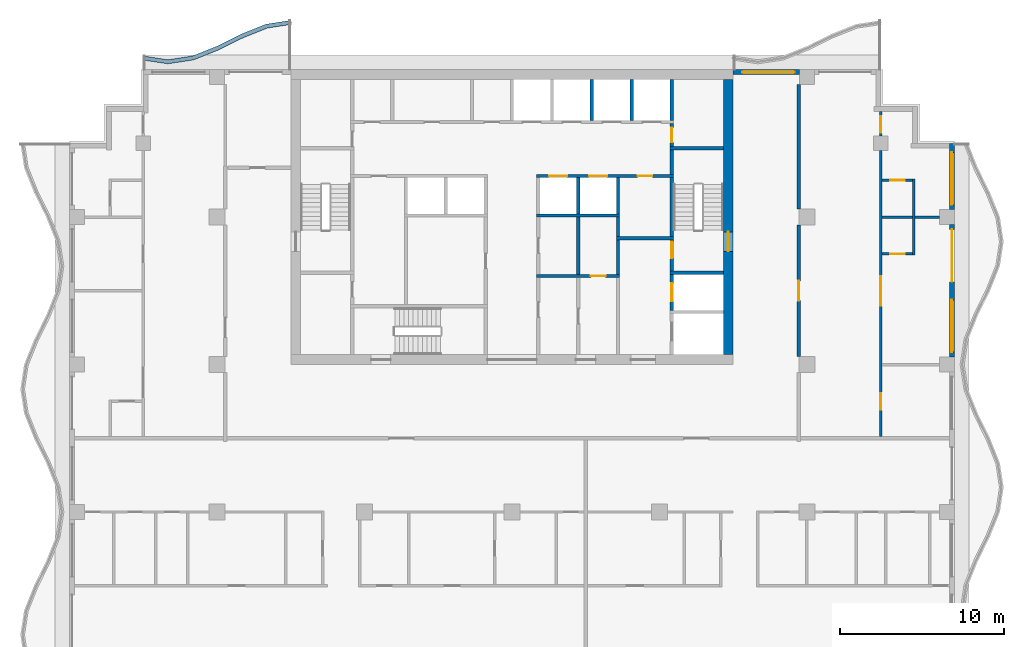
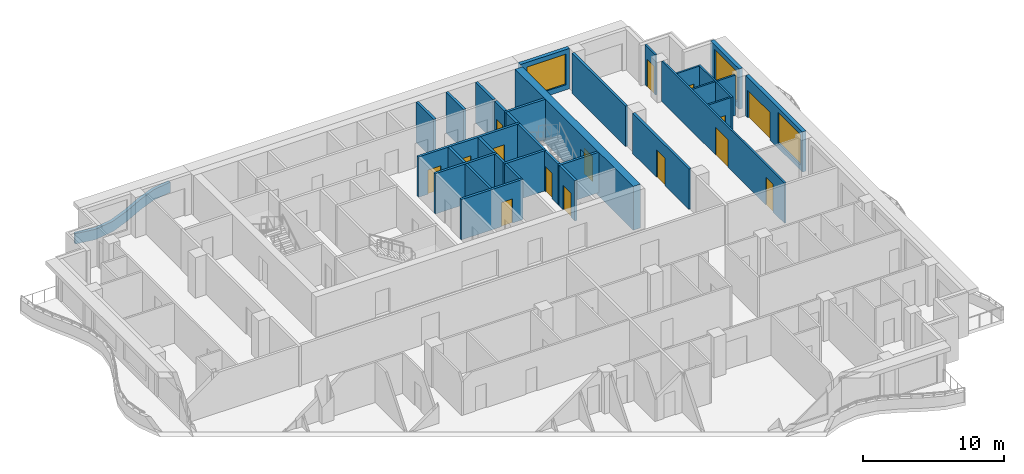
# One storey, part 6 of 11: 33 walls, 15 doors, 3 windows, 18 openings.
"""IFC4 building model written with IfcOpenShell, lengths in metres."""

from ifc_helpers import new_model, si_unit, direction, frame, frame_2d, origin, place, context, subcontext, project, spatial, polyline, rectangle, outline, extrude, material, layer, layer_set, type_object, element, fill, save


model = new_model("IFC4")

# Units and contexts
model_context = context("Model", 3, precision=1e-05, world=origin(), true_north=direction((0.0, 1.0)))
body_context = subcontext(model_context, "Body", "Model", "MODEL_VIEW")
ifc_project = project(units=[si_unit("LENGTHUNIT", "METRE"), si_unit("AREAUNIT", "SQUARE_METRE"), si_unit("VOLUMEUNIT", "CUBIC_METRE"), si_unit("PLANEANGLEUNIT", "RADIAN"), si_unit("MASSUNIT", "GRAM", prefix="KILO")], contexts=[model_context])

# Site, building, storey
site_placement = place(None, origin())
site = spatial("IfcSite", under=ifc_project, at=site_placement, CompositionType="ELEMENT")
building_placement = place(site_placement, origin())
building = spatial("IfcBuilding", under=site, at=building_placement, Name="Orbiselva Terraces", CompositionType="ELEMENT")
storey_placement = place(building_placement, frame((0.0, 0.0, 250.2)))
storey = spatial("IfcBuildingStorey", under=building, at=storey_placement, Name="L63", CompositionType="ELEMENT", Elevation=250.2)

# Wall, opening, door
ifc_material_1 = material(Name="Concrete C80/95", Category="concrete")
ifc_layer_1 = layer(ifc_material_1, 0.6)
ifc_layer_set_1 = layer_set([ifc_layer_1], Name="Concrete C80/95")
wall_type_1 = type_object("IfcWallType", Name="CORE WALL 600", PredefinedType="SHEAR", material=ifc_layer_set_1)
wall_1_placement = place(storey_placement, frame((13.2, 5.1, -0.3), z_axis=(0.0, 0.0, 1.0), x_axis=(0.0, 1.0, 0.0)))
wall_1 = element("IfcWall", 1, at=wall_1_placement, inside=storey, type_object=wall_type_1, Name="Core wall L63 east", PredefinedType="SHEAR", context=body_context, shape_type="SweptSolid", body=[
    extrude(rectangle(XDim=16.8, YDim=0.6, at=frame_2d((8.4, 0.0))), origin(), (0.0, 0.0, 1.0), 3.8),
])
opening_1_placement = place(wall_1_placement, frame((6.3, 0.0, 0.3)))
opening_1 = element("IfcOpeningElement", 2, at=opening_1_placement, cuts=wall_1, Name="Opening DS1200", PredefinedType="OPENING", context=body_context, shape_type="SweptSolid", body=[
    extrude(rectangle(XDim=1.2, YDim=2.2, at=frame_2d((0.6, 1.1))), frame((0.0, 0.31, 0.0), z_axis=(0.0, -1.0, 0.0), x_axis=(1.0, 0.0, 0.0)), (0.0, 0.0, 1.0), 0.62),
])
ifc_material_2 = material(Name="Steel fire door", Category="steel")
door_type_1 = type_object("IfcDoorType", Name="STAIR DOOR 1200", OperationType="NOTDEFINED", PredefinedType="DOOR", material=ifc_material_2)
door_1_placement = place(opening_1_placement, frame((1.2, 0.0, 0.0), z_axis=(0.0, 0.0, 1.0), x_axis=(-1.0, 0.0, 0.0)))
door_1 = element("IfcDoor", 3, at=door_1_placement, inside=storey, type_object=door_type_1, Name="L63 EXIT STAIR S2 door", OperationType="SINGLE_SWING_LEFT", OverallHeight=2.2, OverallWidth=1.2, PredefinedType="DOOR", context=body_context, shape_type="SweptSolid", body=[
    extrude(rectangle(XDim=1.2, YDim=2.2, at=frame_2d((0.6, 1.1))), frame((0.0, 0.025, 0.0), z_axis=(0.0, -1.0, 0.0), x_axis=(1.0, 0.0, 0.0)), (0.0, 0.0, 1.0), 0.05),
])
fill(opening_1, door_1)

# Walls
ifc_material_3 = material(Name="Masonry blockwork", Category="masonry")
ifc_layer_2 = layer(ifc_material_3, 0.2)
ifc_layer_set_2 = layer_set([ifc_layer_2], Name="Masonry blockwork")
wall_type_2 = type_object("IfcWallType", Name="CORE-WALL-PARTITION-200", PredefinedType="PARTITIONING", material=ifc_layer_set_2)
wall_2_placement = place(storey_placement, frame((4.0375, 10.0, 0.0), z_axis=(0.0, 0.0, 1.0), x_axis=(0.0, 1.0, 0.0)))
element("IfcWall", 4, at=wall_2_placement, inside=storey, type_object=wall_type_2, Name="L63 core wall 30", PredefinedType="PARTITIONING", context=body_context, shape_type="SweptSolid", body=[
    extrude(rectangle(XDim=3.5, YDim=0.2, at=frame_2d((1.75, 0.0))), origin(), (0.0, 0.0, 1.0), 3.5),
])
wall_3_placement = place(storey_placement, frame((6.475, 12.3, 0.0), z_axis=(0.0, 0.0, 1.0), x_axis=(0.0, 1.0, 0.0)))
element("IfcWall", 5, at=wall_3_placement, inside=storey, type_object=wall_type_2, Name="L63 core wall 36", PredefinedType="PARTITIONING", context=body_context, shape_type="SweptSolid", body=[
    extrude(rectangle(XDim=1.2, YDim=0.2, at=frame_2d((0.6, 0.0))), origin(), (0.0, 0.0, 1.0), 3.5),
])

# Wall, opening, door
wall_4_placement = place(storey_placement, frame((9.75, 19.2, 0.0), z_axis=(0.0, 0.0, 1.0), x_axis=(0.0, -1.0, 0.0)))
wall_4 = element("IfcWall", 6, at=wall_4_placement, inside=storey, type_object=wall_type_2, Name="L63 core wall 47", PredefinedType="PARTITIONING", context=body_context, shape_type="SweptSolid", body=[
    extrude(rectangle(XDim=1.4, YDim=0.2, at=frame_2d((0.7, 0.0))), origin(), (0.0, 0.0, 1.0), 3.5),
])
opening_2_placement = place(wall_4_placement, frame((0.25, 0.0, 0.0)))
opening_2 = element("IfcOpeningElement", 7, at=opening_2_placement, cuts=wall_4, Name="Opening DR900", PredefinedType="OPENING", context=body_context, shape_type="SweptSolid", body=[
    extrude(rectangle(XDim=0.9, YDim=2.1, at=frame_2d((0.45, 1.05))), frame((0.0, 0.11, 0.0), z_axis=(0.0, -1.0, 0.0), x_axis=(1.0, 0.0, 0.0)), (0.0, 0.0, 1.0), 0.22),
])
door_type_2 = type_object("IfcDoorType", Name="ROOM DOOR 900", OperationType="NOTDEFINED", PredefinedType="DOOR", material=ifc_material_2)
door_2_placement = place(opening_2_placement, origin())
door_2 = element("IfcDoor", 8, at=door_2_placement, inside=storey, type_object=door_type_2, Name="L63 COMMS RISER ROOM door", OperationType="SINGLE_SWING_RIGHT", OverallHeight=2.1, OverallWidth=0.9, PredefinedType="DOOR", context=body_context, shape_type="SweptSolid", body=[
    extrude(rectangle(XDim=0.9, YDim=2.1, at=frame_2d((0.45, 1.05))), frame((0.0, 0.025, 0.0), z_axis=(0.0, -1.0, 0.0), x_axis=(1.0, 0.0, 0.0)), (0.0, 0.0, 1.0), 0.05),
])
fill(opening_2, door_2)

# Walls
ifc_material_4 = material(Name="Concrete C40/50", Category="concrete")
ifc_layer_3 = layer(ifc_material_4, 0.2)
ifc_layer_set_3 = layer_set([ifc_layer_3], Name="Concrete C40/50")
wall_type_3 = type_object("IfcWallType", Name="CORE-WALL-SHAFT-200", PredefinedType="PARTITIONING", material=ifc_layer_set_3)
wall_5_placement = place(storey_placement, frame((4.0375, 13.7, 0.0), z_axis=(0.0, 0.0, 1.0), x_axis=(0.0, 1.0, 0.0)))
element("IfcWall", 9, at=wall_5_placement, inside=storey, type_object=wall_type_3, Name="L63 core wall 31", PredefinedType="PARTITIONING", context=body_context, shape_type="SweptSolid", body=[
    extrude(rectangle(XDim=2.2, YDim=0.2, at=frame_2d((1.1, 0.0))), origin(), (0.0, 0.0, 1.0), 3.5),
])
wall_6_placement = place(storey_placement, frame((4.875, 19.4, 0.0), z_axis=(0.0, 0.0, 1.0), x_axis=(0.0, 1.0, 0.0)))
element("IfcWall", 10, at=wall_6_placement, inside=storey, type_object=wall_type_3, Name="L63 core wall 32", PredefinedType="PARTITIONING", context=body_context, shape_type="SweptSolid", body=[
    extrude(rectangle(XDim=2.5, YDim=0.2, at=frame_2d((1.25, 0.0))), origin(), (0.0, 0.0, 1.0), 3.5),
])
wall_7_placement = place(storey_placement, frame((6.475, 13.7, 0.0), z_axis=(0.0, 0.0, 1.0), x_axis=(0.0, 1.0, 0.0)))
element("IfcWall", 11, at=wall_7_placement, inside=storey, type_object=wall_type_3, Name="L63 core wall 37", PredefinedType="PARTITIONING", context=body_context, shape_type="SweptSolid", body=[
    extrude(rectangle(XDim=2.2, YDim=0.2, at=frame_2d((1.1, 0.0))), origin(), (0.0, 0.0, 1.0), 3.5),
])
for number, where, z_axis, x_axis, name in (
    (12, (7.3125, 19.4, 0.0), (0.0, 0.0, 1.0), (0.0, 1.0, 0.0), "L63 core wall 38"),
    (13, (9.75, 19.4, 0.0), (0.0, 0.0, 1.0), (0.0, 1.0, 0.0), "L63 core wall 48"),
):
    element("IfcWall", number, at=place(storey_placement, frame(where, z_axis=z_axis, x_axis=x_axis)), inside=storey, type_object=wall_type_3, Name=name, PredefinedType="PARTITIONING", context=body_context, shape_type="SweptSolid", body=[
        extrude(rectangle(XDim=2.5, YDim=0.2, at=frame_2d((1.25, 0.0))), origin(), (0.0, 0.0, 1.0), 3.5),
    ])

# Wall, opening, door
ifc_material_5 = material(Name="Concrete C60/75", Category="concrete")
ifc_layer_4 = layer(ifc_material_5, 0.2)
ifc_layer_set_4 = layer_set([ifc_layer_4], Name="Concrete C60/75")
wall_type_4 = type_object("IfcWallType", Name="CORE-WALL-SHEAR-200", PredefinedType="SHEAR", material=ifc_layer_set_4)
wall_8_placement = place(storey_placement, frame((1.5, 9.9, 0.0), z_axis=(0.0, 0.0, 1.0), x_axis=(1.0, 0.0, 0.0)))
wall_8 = element("IfcWall", 14, at=wall_8_placement, inside=storey, type_object=wall_type_4, Name="L63 core wall 23", PredefinedType="SHEAR", context=body_context, shape_type="SweptSolid", body=[
    extrude(rectangle(XDim=5.075, YDim=0.2, at=frame_2d((2.5375, 0.0))), origin(), (0.0, 0.0, 1.0), 3.5),
])
opening_3_placement = place(wall_8_placement, frame((3.3062, 0.0, 0.0)))
opening_3 = element("IfcOpeningElement", 15, at=opening_3_placement, cuts=wall_8, Name="Opening DR900", PredefinedType="OPENING", context=body_context, shape_type="SweptSolid", body=[
    extrude(rectangle(XDim=0.9, YDim=2.1, at=frame_2d((0.45, 1.05))), frame((0.0, 0.11, 0.0), z_axis=(0.0, -1.0, 0.0), x_axis=(1.0, 0.0, 0.0)), (0.0, 0.0, 1.0), 0.22),
])
door_3_placement = place(opening_3_placement, origin())
door_3 = element("IfcDoor", 16, at=door_3_placement, inside=storey, type_object=door_type_2, Name="L63 LINEN STORE door", OperationType="SINGLE_SWING_RIGHT", OverallHeight=2.1, OverallWidth=0.9, PredefinedType="DOOR", context=body_context, shape_type="SweptSolid", body=[
    extrude(rectangle(XDim=0.9, YDim=2.1, at=frame_2d((0.45, 1.05))), frame((0.0, 0.025, 0.0), z_axis=(0.0, -1.0, 0.0), x_axis=(1.0, 0.0, 0.0)), (0.0, 0.0, 1.0), 0.05),
])
fill(opening_3, door_3)

# Wall
wall_9_placement = place(storey_placement, frame((1.5, 13.6, 0.0), z_axis=(0.0, 0.0, 1.0), x_axis=(1.0, 0.0, 0.0)))
element("IfcWall", 17, at=wall_9_placement, inside=storey, type_object=wall_type_4, Name="L63 core wall 25", PredefinedType="SHEAR", context=body_context, shape_type="SweptSolid", body=[
    extrude(rectangle(XDim=5.075, YDim=0.2, at=frame_2d((2.5375, 0.0))), origin(), (0.0, 0.0, 1.0), 3.5),
])

# Wall, openings, doors
wall_10_placement = place(storey_placement, frame((9.85, 16.0, 0.0), z_axis=(0.0, 0.0, 1.0), x_axis=(-1.0, 0.0, 0.0)))
wall_10 = element("IfcWall", 18, at=wall_10_placement, inside=storey, type_object=wall_type_4, Name="L63 core wall 27", PredefinedType="SHEAR", context=body_context, shape_type="SweptSolid", body=[
    extrude(rectangle(XDim=8.35, YDim=0.2, at=frame_2d((4.175, 0.0))), origin(), (0.0, 0.0, 1.0), 3.5),
])
opening_4_placement = place(wall_10_placement, frame((6.48125, 0.0, 0.0)))
opening_4 = element("IfcOpeningElement", 19, at=opening_4_placement, cuts=wall_10, Name="Opening LD-HR5", PredefinedType="OPENING", context=body_context, shape_type="SweptSolid", body=[
    extrude(rectangle(XDim=1.1, YDim=2.1, at=frame_2d((0.55, 1.05))), frame((0.0, 0.11, 0.0), z_axis=(0.0, -1.0, 0.0), x_axis=(1.0, 0.0, 0.0)), (0.0, 0.0, 1.0), 0.22),
])
opening_5_placement = place(wall_10_placement, frame((4.04375, 0.0, 0.0)))
opening_5 = element("IfcOpeningElement", 20, at=opening_5_placement, cuts=wall_10, Name="Opening LD-HR6", PredefinedType="OPENING", context=body_context, shape_type="SweptSolid", body=[
    extrude(rectangle(XDim=1.1, YDim=2.1, at=frame_2d((0.55, 1.05))), frame((0.0, 0.11, 0.0), z_axis=(0.0, -1.0, 0.0), x_axis=(1.0, 0.0, 0.0)), (0.0, 0.0, 1.0), 0.22),
])
opening_6_placement = place(wall_10_placement, frame((1.2875, 0.0, 0.0)))
opening_6 = element("IfcOpeningElement", 21, at=opening_6_placement, cuts=wall_10, Name="Opening DR900", PredefinedType="OPENING", context=body_context, shape_type="SweptSolid", body=[
    extrude(rectangle(XDim=0.9, YDim=2.1, at=frame_2d((0.45, 1.05))), frame((0.0, 0.11, 0.0), z_axis=(0.0, -1.0, 0.0), x_axis=(1.0, 0.0, 0.0)), (0.0, 0.0, 1.0), 0.22),
])
ifc_material_6 = material(Name="Stainless steel landing door", Category="steel")
door_type_3 = type_object("IfcDoorType", Name="LANDING DOOR 1100", OperationType="SLIDING_TO_LEFT", PredefinedType="DOOR", material=ifc_material_6)
door_4_placement = place(opening_4_placement, origin())
door_4 = element("IfcDoor", 22, at=door_4_placement, inside=storey, type_object=door_type_3, Name="L63 landing door HR5", OperationType="SLIDING_TO_RIGHT", OverallHeight=2.1, OverallWidth=1.1, PredefinedType="DOOR", context=body_context, shape_type="SweptSolid", body=[
    extrude(rectangle(XDim=1.1, YDim=2.1, at=frame_2d((0.55, 1.05))), frame((0.0, 0.025, 0.0), z_axis=(0.0, -1.0, 0.0), x_axis=(1.0, 0.0, 0.0)), (0.0, 0.0, 1.0), 0.05),
])
fill(opening_4, door_4)
door_5_placement = place(opening_5_placement, origin())
door_5 = element("IfcDoor", 23, at=door_5_placement, inside=storey, type_object=door_type_3, Name="L63 landing door HR6", OperationType="SLIDING_TO_RIGHT", OverallHeight=2.1, OverallWidth=1.1, PredefinedType="DOOR", context=body_context, shape_type="SweptSolid", body=[
    extrude(rectangle(XDim=1.1, YDim=2.1, at=frame_2d((0.55, 1.05))), frame((0.0, 0.025, 0.0), z_axis=(0.0, -1.0, 0.0), x_axis=(1.0, 0.0, 0.0)), (0.0, 0.0, 1.0), 0.05),
])
fill(opening_5, door_5)
door_6_placement = place(opening_6_placement, origin())
door_6 = element("IfcDoor", 24, at=door_6_placement, inside=storey, type_object=door_type_2, Name="L63 PIPE RISER ROOM door", OperationType="SINGLE_SWING_LEFT", OverallHeight=2.1, OverallWidth=0.9, PredefinedType="DOOR", context=body_context, shape_type="SweptSolid", body=[
    extrude(rectangle(XDim=0.9, YDim=2.1, at=frame_2d((0.45, 1.05))), frame((0.0, 0.025, 0.0), z_axis=(0.0, -1.0, 0.0), x_axis=(1.0, 0.0, 0.0)), (0.0, 0.0, 1.0), 0.05),
])
fill(opening_6, door_6)

# Walls
wall_11_placement = place(storey_placement, frame((6.475, 10.0, 0.0), z_axis=(0.0, 0.0, 1.0), x_axis=(0.0, 1.0, 0.0)))
element("IfcWall", 25, at=wall_11_placement, inside=storey, type_object=wall_type_4, Name="L63 core wall 34", PredefinedType="SHEAR", context=body_context, shape_type="SweptSolid", body=[
    extrude(rectangle(XDim=2.1, YDim=0.2, at=frame_2d((1.05, 0.0))), origin(), (0.0, 0.0, 1.0), 3.5),
])
wall_12_placement = place(storey_placement, frame((6.375, 12.2, 0.0), z_axis=(0.0, 0.0, 1.0), x_axis=(1.0, 0.0, 0.0)))
element("IfcWall", 26, at=wall_12_placement, inside=storey, type_object=wall_type_4, Name="L63 core wall 35", PredefinedType="SHEAR", context=body_context, shape_type="SweptSolid", body=[
    extrude(rectangle(XDim=3.475, YDim=0.2, at=frame_2d((1.7375, 0.0))), origin(), (0.0, 0.0, 1.0), 3.5),
])

# Wall, opening, door
wall_13_placement = place(storey_placement, frame((9.75, 7.8, 0.0), z_axis=(0.0, 0.0, 1.0), x_axis=(0.0, 1.0, 0.0)))
wall_13 = element("IfcWall", 27, at=wall_13_placement, inside=storey, type_object=wall_type_4, Name="L63 core wall 41", PredefinedType="SHEAR", context=body_context, shape_type="SweptSolid", body=[
    extrude(rectangle(XDim=2.2, YDim=0.2, at=frame_2d((1.1, 0.0))), origin(), (0.0, 0.0, 1.0), 3.5),
])
opening_7_placement = place(wall_13_placement, frame((0.55, 0.0, 0.0)))
opening_7 = element("IfcOpeningElement", 28, at=opening_7_placement, cuts=wall_13, Name="Opening LD-FF2", PredefinedType="OPENING", context=body_context, shape_type="SweptSolid", body=[
    extrude(rectangle(XDim=1.1, YDim=2.1, at=frame_2d((0.55, 1.05))), frame((0.0, 0.11, 0.0), z_axis=(0.0, -1.0, 0.0), x_axis=(1.0, 0.0, 0.0)), (0.0, 0.0, 1.0), 0.22),
])
door_7_placement = place(opening_7_placement, origin())
door_7 = element("IfcDoor", 29, at=door_7_placement, inside=storey, type_object=door_type_3, Name="L63 landing door FF2", OperationType="SLIDING_TO_RIGHT", OverallHeight=2.1, OverallWidth=1.1, PredefinedType="DOOR", context=body_context, shape_type="SweptSolid", body=[
    extrude(rectangle(XDim=1.1, YDim=2.1, at=frame_2d((0.55, 1.05))), frame((0.0, 0.025, 0.0), z_axis=(0.0, -1.0, 0.0), x_axis=(1.0, 0.0, 0.0)), (0.0, 0.0, 1.0), 0.05),
])
fill(opening_7, door_7)

# Wall
wall_14_placement = place(storey_placement, frame((9.65, 10.1, 0.0), z_axis=(0.0, 0.0, 1.0), x_axis=(1.0, 0.0, 0.0)))
element("IfcWall", 30, at=wall_14_placement, inside=storey, type_object=wall_type_4, Name="L63 core wall 42", PredefinedType="SHEAR", context=body_context, shape_type="SweptSolid", body=[
    extrude(rectangle(XDim=3.25, YDim=0.2, at=frame_2d((1.625, 0.0))), origin(), (0.0, 0.0, 1.0), 3.5),
])

# Wall, opening, door
wall_15_placement = place(storey_placement, frame((9.75, 12.1, 0.0), z_axis=(0.0, 0.0, 1.0), x_axis=(0.0, -1.0, 0.0)))
wall_15 = element("IfcWall", 31, at=wall_15_placement, inside=storey, type_object=wall_type_4, Name="L63 core wall 43", PredefinedType="SHEAR", context=body_context, shape_type="SweptSolid", body=[
    extrude(rectangle(XDim=1.9, YDim=0.2, at=frame_2d((0.95, 0.0))), origin(), (0.0, 0.0, 1.0), 3.5),
])
opening_8_placement = place(wall_15_placement, frame((0.1, 0.0, 0.0)))
opening_8 = element("IfcOpeningElement", 32, at=opening_8_placement, cuts=wall_15, Name="Opening DS1000", PredefinedType="OPENING", context=body_context, shape_type="SweptSolid", body=[
    extrude(rectangle(XDim=1.0, YDim=2.2, at=frame_2d((0.5, 1.1))), frame((0.0, 0.11, 0.0), z_axis=(0.0, -1.0, 0.0), x_axis=(1.0, 0.0, 0.0)), (0.0, 0.0, 1.0), 0.22),
])
door_type_4 = type_object("IfcDoorType", Name="STAIR DOOR 1000", OperationType="NOTDEFINED", PredefinedType="DOOR", material=ifc_material_2)
door_8_placement = place(opening_8_placement, origin())
door_8 = element("IfcDoor", 33, at=door_8_placement, inside=storey, type_object=door_type_4, Name="L63 FIRE-FIGHTING LOBBY TO EXIT STAIR S2 door", OperationType="SINGLE_SWING_LEFT", OverallHeight=2.2, OverallWidth=1.0, PredefinedType="DOOR", context=body_context, shape_type="SweptSolid", body=[
    extrude(rectangle(XDim=1.0, YDim=2.2, at=frame_2d((0.5, 1.1))), frame((0.0, 0.025, 0.0), z_axis=(0.0, -1.0, 0.0), x_axis=(1.0, 0.0, 0.0)), (0.0, 0.0, 1.0), 0.05),
])
fill(opening_8, door_8)

# Walls
wall_16_placement = place(storey_placement, frame((9.75, 12.3, 0.0), z_axis=(0.0, 0.0, 1.0), x_axis=(0.0, 1.0, 0.0)))
element("IfcWall", 34, at=wall_16_placement, inside=storey, type_object=wall_type_4, Name="L63 core wall 44", PredefinedType="SHEAR", context=body_context, shape_type="SweptSolid", body=[
    extrude(rectangle(XDim=3.6, YDim=0.2, at=frame_2d((1.8, 0.0))), origin(), (0.0, 0.0, 1.0), 3.5),
])
wall_17_placement = place(storey_placement, frame((9.75, 16.1, 0.0), z_axis=(0.0, 0.0, 1.0), x_axis=(0.0, 1.0, 0.0)))
element("IfcWall", 35, at=wall_17_placement, inside=storey, type_object=wall_type_4, Name="L63 core wall 45", PredefinedType="SHEAR", context=body_context, shape_type="SweptSolid", body=[
    extrude(rectangle(XDim=1.5, YDim=0.2, at=frame_2d((0.75, 0.0))), origin(), (0.0, 0.0, 1.0), 3.5),
])
wall_18_placement = place(storey_placement, frame((9.65, 17.7, 0.0), z_axis=(0.0, 0.0, 1.0), x_axis=(1.0, 0.0, 0.0)))
element("IfcWall", 36, at=wall_18_placement, inside=storey, type_object=wall_type_4, Name="L63 core wall 46", PredefinedType="SHEAR", context=body_context, shape_type="SweptSolid", body=[
    extrude(rectangle(XDim=3.25, YDim=0.2, at=frame_2d((1.625, 0.0))), origin(), (0.0, 0.0, 1.0), 3.5),
])
ifc_layer_5 = layer(ifc_material_4, 0.25)
ifc_layer_set_5 = layer_set([ifc_layer_5], Name="Concrete C40/50")
wall_type_5 = type_object("IfcWallType", Name="ENV-PLANTER-250x900", PredefinedType="USERDEFINED", material=ifc_layer_set_5)
wall_19_placement = place(storey_placement, origin())
element("IfcWall", 37, at=wall_19_placement, inside=storey, type_object=wall_type_5, Name="Balcony planter L63 NW", ObjectType="PLANTER", PredefinedType="USERDEFINED", context=body_context, shape_type="SweptSolid", body=[
    extrude(outline(polyline([(-13.5, 25.5), (-15.0, 25.27082), (-16.5, 24.67082), (-18.0, 23.92918), (-19.5, 23.32918), (-21.0, 23.1), (-22.5, 23.32918), (-22.537758, 23.082048), (-21.0, 22.847099), (-19.433834, 23.086388), (-17.898017, 23.700715), (-16.398017, 24.442355), (-14.933834, 25.028028), (-13.462242, 25.252868), (-13.5, 25.5)])), origin(), (0.0, 0.0, 1.0), 0.9),
])

# Wall, openings, door, window
ifc_material_7 = material(Name="Terracotta cladding on masonry backing", Category="masonry")
ifc_layer_6 = layer(ifc_material_7, 0.3)
ifc_layer_set_6 = layer_set([ifc_layer_6], Name="Terracotta cladding on masonry backing")
wall_type_6 = type_object("IfcWallType", Name="ENV-WALL-TERRACOTTA-300", PredefinedType="SOLIDWALL", material=ifc_layer_set_6)
wall_20_placement = place(storey_placement, frame((26.85, 13.05, 0.0), z_axis=(0.0, 0.0, 1.0), x_axis=(0.0, -1.0, 0.0)))
wall_20 = element("IfcWall", 38, at=wall_20_placement, inside=storey, type_object=wall_type_6, Name="Facade wall L63 E", PredefinedType="SOLIDWALL", context=body_context, shape_type="SweptSolid", body=[
    extrude(rectangle(XDim=8.1, YDim=0.3, at=frame_2d((4.05, 0.0))), origin(), (0.0, 0.0, 1.0), 3.5),
])
opening_9_placement = place(wall_20_placement, frame((4.6, 0.0, 0.45)))
opening_9 = element("IfcOpeningElement", 39, at=opening_9_placement, cuts=wall_20, Name="Opening WN17", PredefinedType="OPENING", context=body_context, shape_type="SweptSolid", body=[
    extrude(rectangle(XDim=3.2, YDim=2.65, at=frame_2d((1.6, 1.325))), frame((0.0, 0.16, 0.0), z_axis=(0.0, -1.0, 0.0), x_axis=(1.0, 0.0, 0.0)), (0.0, 0.0, 1.0), 0.32),
])
opening_10_placement = place(wall_20_placement, frame((0.3, 0.0, 0.0)))
opening_10 = element("IfcOpeningElement", 40, at=opening_10_placement, cuts=wall_20, Name="Opening Z5-B-E07", PredefinedType="OPENING", context=body_context, shape_type="SweptSolid", body=[
    extrude(rectangle(XDim=3.2, YDim=2.4, at=frame_2d((1.6, 1.2))), frame((0.0, 0.16, 0.0), z_axis=(0.0, -1.0, 0.0), x_axis=(1.0, 0.0, 0.0)), (0.0, 0.0, 1.0), 0.32),
])
ifc_material_8 = material(Name="Clear low-e glazing in aluminium frame", Category="aluminium")
door_type_5 = type_object("IfcDoorType", Name="BALCONY DOOR 3200 X 2400", OperationType="DOUBLE_DOOR_SLIDING", PredefinedType="DOOR", material=ifc_material_8)
door_9_placement = place(opening_10_placement, origin())
door_9 = element("IfcDoor", 41, at=door_9_placement, inside=storey, type_object=door_type_5, Name="Z5-B-E07", OperationType="SINGLE_SWING_LEFT", OverallHeight=2.4, OverallWidth=3.2, PredefinedType="DOOR", context=body_context, shape_type="SweptSolid", body=[
    extrude(rectangle(XDim=3.2, YDim=2.4, at=frame_2d((1.6, 1.2))), frame((0.0, 0.025, 0.0), z_axis=(0.0, -1.0, 0.0), x_axis=(1.0, 0.0, 0.0)), (0.0, 0.0, 1.0), 0.05),
])
fill(opening_10, door_9)
window_type = type_object("IfcWindowType", Name="WINDOW 3200 X 2650 S450", PartitioningType="TRIPLE_PANEL_VERTICAL", PredefinedType="WINDOW", material=ifc_material_8)
window_1_placement = place(opening_9_placement, origin())
window_1 = element("IfcWindow", 42, at=window_1_placement, inside=storey, type_object=window_type, Name="Window L63 E", OverallHeight=2.65, OverallWidth=3.2, PartitioningType="SINGLE_PANEL", PredefinedType="WINDOW", context=body_context, shape_type="SweptSolid", body=[
    extrude(rectangle(XDim=3.2, YDim=2.65, at=frame_2d((1.6, 1.325))), frame((0.0, 0.03, 0.0), z_axis=(0.0, -1.0, 0.0), x_axis=(1.0, 0.0, 0.0)), (0.0, 0.0, 1.0), 0.06),
])
fill(opening_9, window_1)

# Wall, opening, window
wall_21_placement = place(storey_placement, frame((26.85, 18.0, 0.0), z_axis=(0.0, 0.0, 1.0), x_axis=(0.0, -1.0, 0.0)))
wall_21 = element("IfcWall", 43, at=wall_21_placement, inside=storey, type_object=wall_type_6, Name="Facade wall L63 E", PredefinedType="SOLIDWALL", context=body_context, shape_type="SweptSolid", body=[
    extrude(rectangle(XDim=4.05, YDim=0.3, at=frame_2d((2.025, 0.0))), origin(), (0.0, 0.0, 1.0), 3.5),
])
opening_11_placement = place(wall_21_placement, frame((0.55, 0.0, 0.45)))
opening_11 = element("IfcOpeningElement", 44, at=opening_11_placement, cuts=wall_21, Name="Opening WN17", PredefinedType="OPENING", context=body_context, shape_type="SweptSolid", body=[
    extrude(rectangle(XDim=3.2, YDim=2.65, at=frame_2d((1.6, 1.325))), frame((0.0, 0.16, 0.0), z_axis=(0.0, -1.0, 0.0), x_axis=(1.0, 0.0, 0.0)), (0.0, 0.0, 1.0), 0.32),
])
window_2_placement = place(opening_11_placement, origin())
window_2 = element("IfcWindow", 45, at=window_2_placement, inside=storey, type_object=window_type, Name="Window L63 E", OverallHeight=2.65, OverallWidth=3.2, PartitioningType="SINGLE_PANEL", PredefinedType="WINDOW", context=body_context, shape_type="SweptSolid", body=[
    extrude(rectangle(XDim=3.2, YDim=2.65, at=frame_2d((1.6, 1.325))), frame((0.0, 0.03, 0.0), z_axis=(0.0, -1.0, 0.0), x_axis=(1.0, 0.0, 0.0)), (0.0, 0.0, 1.0), 0.06),
])
fill(opening_11, window_2)

wall_22_placement = place(storey_placement, frame((13.5, 22.35, 0.0), z_axis=(0.0, 0.0, 1.0), x_axis=(1.0, 0.0, 0.0)))
wall_22 = element("IfcWall", 46, at=wall_22_placement, inside=storey, type_object=wall_type_6, Name="Facade wall L63 NE", PredefinedType="SOLIDWALL", context=body_context, shape_type="SweptSolid", body=[
    extrude(rectangle(XDim=4.05, YDim=0.3, at=frame_2d((2.025, 0.0))), origin(), (0.0, 0.0, 1.0), 3.5),
])
opening_12_placement = place(wall_22_placement, frame((0.55, 0.0, 0.45)))
opening_12 = element("IfcOpeningElement", 47, at=opening_12_placement, cuts=wall_22, Name="Opening WN17", PredefinedType="OPENING", context=body_context, shape_type="SweptSolid", body=[
    extrude(rectangle(XDim=3.2, YDim=2.65, at=frame_2d((1.6, 1.325))), frame((0.0, 0.16, 0.0), z_axis=(0.0, -1.0, 0.0), x_axis=(1.0, 0.0, 0.0)), (0.0, 0.0, 1.0), 0.32),
])
window_3_placement = place(opening_12_placement, origin())
window_3 = element("IfcWindow", 48, at=window_3_placement, inside=storey, type_object=window_type, Name="Window L63 NE", OverallHeight=2.65, OverallWidth=3.2, PartitioningType="SINGLE_PANEL", PredefinedType="WINDOW", context=body_context, shape_type="SweptSolid", body=[
    extrude(rectangle(XDim=3.2, YDim=2.65, at=frame_2d((1.6, 1.325))), frame((0.0, 0.03, 0.0), z_axis=(0.0, -1.0, 0.0), x_axis=(1.0, 0.0, 0.0)), (0.0, 0.0, 1.0), 0.06),
])
fill(opening_12, window_3)

# Wall, opening, door
ifc_material_9 = material(Name="Plasterboard on steel stud partition", Category="steel")
ifc_layer_7 = layer(ifc_material_9, 0.2)
ifc_layer_set_7 = layer_set([ifc_layer_7], Name="Plasterboard on steel stud partition")
wall_type_7 = type_object("IfcWallType", Name="UNIT-ENTRANCE-WALL-200", PredefinedType="PARTITIONING", material=ifc_layer_set_7)
wall_23_placement = place(storey_placement, frame((17.5, 13.0, 0.0), z_axis=(0.0, 0.0, 1.0), x_axis=(0.0, -1.0, 0.0)))
wall_23 = element("IfcWall", 49, at=wall_23_placement, inside=storey, type_object=wall_type_7, Name="PARTITION L63-072", PredefinedType="PARTITIONING", context=body_context, shape_type="SweptSolid", body=[
    extrude(rectangle(XDim=8.0, YDim=0.2, at=frame_2d((4.0, 0.0))), origin(), (0.0, 0.0, 1.0), 3.5),
])
opening_13_placement = place(wall_23_placement, frame((3.4, 0.0, 0.0)))
opening_13 = element("IfcOpeningElement", 50, at=opening_13_placement, cuts=wall_23, Name="Opening Z5-B-08", PredefinedType="OPENING", context=body_context, shape_type="SweptSolid", body=[
    extrude(rectangle(XDim=1.2, YDim=2.4, at=frame_2d((0.6, 1.2))), frame((0.0, 0.11, 0.0), z_axis=(0.0, -1.0, 0.0), x_axis=(1.0, 0.0, 0.0)), (0.0, 0.0, 1.0), 0.22),
])
ifc_material_10 = material(Name="Painted timber door leaf", Category="wood")
door_type_6 = type_object("IfcDoorType", Name="ENTRANCE DOOR 1200", OperationType="NOTDEFINED", PredefinedType="DOOR", material=ifc_material_10)
door_10_placement = place(opening_13_placement, origin())
door_10 = element("IfcDoor", 51, at=door_10_placement, inside=storey, type_object=door_type_6, Name="Z5-B-08", OperationType="SINGLE_SWING_RIGHT", OverallHeight=2.4, OverallWidth=1.2, PredefinedType="DOOR", context=body_context, shape_type="SweptSolid", body=[
    extrude(rectangle(XDim=1.2, YDim=2.4, at=frame_2d((0.6, 1.2))), frame((0.0, 0.025, 0.0), z_axis=(0.0, -1.0, 0.0), x_axis=(1.0, 0.0, 0.0)), (0.0, 0.0, 1.0), 0.05),
])
fill(opening_13, door_10)

# Wall
wall_24_placement = place(storey_placement, frame((17.5, 14.0, 0.0), z_axis=(0.0, 0.0, 1.0), x_axis=(0.0, 1.0, 0.0)))
element("IfcWall", 52, at=wall_24_placement, inside=storey, type_object=wall_type_7, Name="PARTITION L63-073", PredefinedType="PARTITIONING", context=body_context, shape_type="SweptSolid", body=[
    extrude(rectangle(XDim=7.6, YDim=0.2, at=frame_2d((3.8, 0.0))), origin(), (0.0, 0.0, 1.0), 3.5),
])

# Wall, opening, door
ifc_layer_8 = layer(ifc_material_9, 0.15)
ifc_layer_set_8 = layer_set([ifc_layer_8], Name="Plasterboard on steel stud partition")
wall_type_8 = type_object("IfcWallType", Name="UNIT-PARTITION-150", PredefinedType="PARTITIONING", material=ifc_layer_set_8)
wall_25_placement = place(storey_placement, frame((22.575, 11.25, 0.0), z_axis=(0.0, 0.0, 1.0), x_axis=(1.0, 0.0, 0.0)))
wall_25 = element("IfcWall", 53, at=wall_25_placement, inside=storey, type_object=wall_type_8, Name="PARTITION L63-032", PredefinedType="PARTITIONING", context=body_context, shape_type="SweptSolid", body=[
    extrude(rectangle(XDim=1.875, YDim=0.15, at=frame_2d((0.9375, 0.0))), origin(), (0.0, 0.0, 1.0), 3.5),
])
opening_14_placement = place(wall_25_placement, frame((0.5, 0.0, 0.0)))
opening_14 = element("IfcOpeningElement", 54, at=opening_14_placement, cuts=wall_25, Name="Opening Z5-B-11", PredefinedType="OPENING", context=body_context, shape_type="SweptSolid", body=[
    extrude(rectangle(XDim=0.9, YDim=2.1, at=frame_2d((0.45, 1.05))), frame((0.0, 0.085, 0.0), z_axis=(0.0, -1.0, 0.0), x_axis=(1.0, 0.0, 0.0)), (0.0, 0.0, 1.0), 0.17),
])
door_type_7 = type_object("IfcDoorType", Name="BATH DOOR 900", OperationType="NOTDEFINED", PredefinedType="DOOR", material=ifc_material_10)
door_11_placement = place(opening_14_placement, origin())
door_11 = element("IfcDoor", 55, at=door_11_placement, inside=storey, type_object=door_type_7, Name="Z5-B-11", OperationType="SINGLE_SWING_RIGHT", OverallHeight=2.1, OverallWidth=0.9, PredefinedType="DOOR", context=body_context, shape_type="SweptSolid", body=[
    extrude(rectangle(XDim=0.9, YDim=2.1, at=frame_2d((0.45, 1.05))), frame((0.0, 0.025, 0.0), z_axis=(0.0, -1.0, 0.0), x_axis=(1.0, 0.0, 0.0)), (0.0, 0.0, 1.0), 0.05),
])
fill(opening_14, door_11)

# Walls
wall_26_placement = place(storey_placement, frame((22.575, 13.5, 0.0), z_axis=(0.0, 0.0, 1.0), x_axis=(1.0, 0.0, 0.0)))
element("IfcWall", 56, at=wall_26_placement, inside=storey, type_object=wall_type_8, Name="PARTITION L63-034", PredefinedType="PARTITIONING", context=body_context, shape_type="SweptSolid", body=[
    extrude(rectangle(XDim=1.875, YDim=0.15, at=frame_2d((0.9375, 0.0))), origin(), (0.0, 0.0, 1.0), 3.5),
])
wall_27_placement = place(storey_placement, frame((24.6, 13.5, 0.0), z_axis=(0.0, 0.0, 1.0), x_axis=(1.0, 0.0, 0.0)))
element("IfcWall", 57, at=wall_27_placement, inside=storey, type_object=wall_type_8, Name="PARTITION L63-035", PredefinedType="PARTITIONING", context=body_context, shape_type="SweptSolid", body=[
    extrude(rectangle(XDim=1.5, YDim=0.15, at=frame_2d((0.75, 0.0))), origin(), (0.0, 0.0, 1.0), 3.5),
])

# Wall, opening, door
wall_28_placement = place(storey_placement, frame((24.45, 15.75, 0.0), z_axis=(0.0, 0.0, 1.0), x_axis=(-1.0, 0.0, 0.0)))
wall_28 = element("IfcWall", 58, at=wall_28_placement, inside=storey, type_object=wall_type_8, Name="PARTITION L63-037", PredefinedType="PARTITIONING", context=body_context, shape_type="SweptSolid", body=[
    extrude(rectangle(XDim=1.875, YDim=0.15, at=frame_2d((0.9375, 0.0))), origin(), (0.0, 0.0, 1.0), 3.5),
])
opening_15_placement = place(wall_28_placement, frame((0.475, 0.0, 0.0)))
opening_15 = element("IfcOpeningElement", 59, at=opening_15_placement, cuts=wall_28, Name="Opening Z5-B-13", PredefinedType="OPENING", context=body_context, shape_type="SweptSolid", body=[
    extrude(rectangle(XDim=0.9, YDim=2.1, at=frame_2d((0.45, 1.05))), frame((0.0, 0.085, 0.0), z_axis=(0.0, -1.0, 0.0), x_axis=(1.0, 0.0, 0.0)), (0.0, 0.0, 1.0), 0.17),
])
door_12_placement = place(opening_15_placement, origin())
door_12 = element("IfcDoor", 60, at=door_12_placement, inside=storey, type_object=door_type_7, Name="Z5-B-13", OperationType="SINGLE_SWING_LEFT", OverallHeight=2.1, OverallWidth=0.9, PredefinedType="DOOR", context=body_context, shape_type="SweptSolid", body=[
    extrude(rectangle(XDim=0.9, YDim=2.1, at=frame_2d((0.45, 1.05))), frame((0.0, 0.025, 0.0), z_axis=(0.0, -1.0, 0.0), x_axis=(1.0, 0.0, 0.0)), (0.0, 0.0, 1.0), 0.05),
])
fill(opening_15, door_12)

# Wall, openings, doors
wall_29_placement = place(storey_placement, frame((22.5, 17.55, 0.0), z_axis=(0.0, 0.0, 1.0), x_axis=(0.0, -1.0, 0.0)))
wall_29 = element("IfcWall", 61, at=wall_29_placement, inside=storey, type_object=wall_type_8, Name="PARTITION L63-080", PredefinedType="PARTITIONING", context=body_context, shape_type="SweptSolid", body=[
    extrude(rectangle(XDim=17.45, YDim=0.15, at=frame_2d((8.725, 0.0))), origin(), (0.0, 0.0, 1.0), 3.5),
])
opening_16_placement = place(wall_29_placement, frame((14.8, 0.0, 0.0)))
opening_16 = element("IfcOpeningElement", 62, at=opening_16_placement, cuts=wall_29, Name="Opening Z5-B-09", PredefinedType="OPENING", context=body_context, shape_type="SweptSolid", body=[
    extrude(rectangle(XDim=1.0, YDim=2.4, at=frame_2d((0.5, 1.2))), frame((0.0, 0.085, 0.0), z_axis=(0.0, -1.0, 0.0), x_axis=(1.0, 0.0, 0.0)), (0.0, 0.0, 1.0), 0.17),
])
opening_17_placement = place(wall_29_placement, frame((7.65, 0.0, 0.0)))
opening_17 = element("IfcOpeningElement", 63, at=opening_17_placement, cuts=wall_29, Name="Opening Z5-B-10", PredefinedType="OPENING", context=body_context, shape_type="SweptSolid", body=[
    extrude(rectangle(XDim=1.8, YDim=2.4, at=frame_2d((0.9, 1.2))), frame((0.0, 0.085, 0.0), z_axis=(0.0, -1.0, 0.0), x_axis=(1.0, 0.0, 0.0)), (0.0, 0.0, 1.0), 0.17),
])
door_type_8 = type_object("IfcDoorType", Name="DOUBLE DOOR 1800", OperationType="NOTDEFINED", PredefinedType="DOOR", material=ifc_material_10)
door_13_placement = place(opening_17_placement, origin())
door_13 = element("IfcDoor", 64, at=door_13_placement, inside=storey, type_object=door_type_8, Name="Z5-B-10", OperationType="DOUBLE_DOOR_SINGLE_SWING", OverallHeight=2.4, OverallWidth=1.8, PredefinedType="DOOR", context=body_context, shape_type="SweptSolid", body=[
    extrude(rectangle(XDim=1.8, YDim=2.4, at=frame_2d((0.9, 1.2))), frame((0.0, 0.025, 0.0), z_axis=(0.0, -1.0, 0.0), x_axis=(1.0, 0.0, 0.0)), (0.0, 0.0, 1.0), 0.05),
])
fill(opening_17, door_13)
door_type_9 = type_object("IfcDoorType", Name="ROOM DOOR 1000", OperationType="NOTDEFINED", PredefinedType="DOOR", material=ifc_material_10)
door_14_placement = place(opening_16_placement, origin())
door_14 = element("IfcDoor", 65, at=door_14_placement, inside=storey, type_object=door_type_9, Name="Z5-B-09", OperationType="SINGLE_SWING_RIGHT", OverallHeight=2.4, OverallWidth=1.0, PredefinedType="DOOR", context=body_context, shape_type="SweptSolid", body=[
    extrude(rectangle(XDim=1.0, YDim=2.4, at=frame_2d((0.5, 1.2))), frame((0.0, 0.025, 0.0), z_axis=(0.0, -1.0, 0.0), x_axis=(1.0, 0.0, 0.0)), (0.0, 0.0, 1.0), 0.05),
])
fill(opening_16, door_14)

# Wall, opening, door
wall_30_placement = place(storey_placement, frame((22.5, 19.95, 0.0), z_axis=(0.0, 0.0, 1.0), x_axis=(0.0, -1.0, 0.0)))
wall_30 = element("IfcWall", 66, at=wall_30_placement, inside=storey, type_object=wall_type_8, Name="PARTITION L63-081", PredefinedType="PARTITIONING", context=body_context, shape_type="SweptSolid", body=[
    extrude(rectangle(XDim=1.5, YDim=0.15, at=frame_2d((0.75, 0.0))), origin(), (0.0, 0.0, 1.0), 3.5),
])
opening_18_placement = place(wall_30_placement, frame((0.3, 0.0, 0.0)))
opening_18 = element("IfcOpeningElement", 67, at=opening_18_placement, cuts=wall_30, Name="Opening Z5-B-12", PredefinedType="OPENING", context=body_context, shape_type="SweptSolid", body=[
    extrude(rectangle(XDim=1.0, YDim=2.4, at=frame_2d((0.5, 1.2))), frame((0.0, 0.085, 0.0), z_axis=(0.0, -1.0, 0.0), x_axis=(1.0, 0.0, 0.0)), (0.0, 0.0, 1.0), 0.17),
])
door_15_placement = place(opening_18_placement, origin())
door_15 = element("IfcDoor", 68, at=door_15_placement, inside=storey, type_object=door_type_9, Name="Z5-B-12", OperationType="SINGLE_SWING_RIGHT", OverallHeight=2.4, OverallWidth=1.0, PredefinedType="DOOR", context=body_context, shape_type="SweptSolid", body=[
    extrude(rectangle(XDim=1.0, YDim=2.4, at=frame_2d((0.5, 1.2))), frame((0.0, 0.025, 0.0), z_axis=(0.0, -1.0, 0.0), x_axis=(1.0, 0.0, 0.0)), (0.0, 0.0, 1.0), 0.05),
])
fill(opening_18, door_15)

# Wall
wall_31_placement = place(storey_placement, frame((24.525, 11.175, 0.0), z_axis=(0.0, 0.0, 1.0), x_axis=(0.0, 1.0, 0.0)))
element("IfcWall", 69, at=wall_31_placement, inside=storey, type_object=wall_type_8, Name="PARTITION L63-083", PredefinedType="PARTITIONING", context=body_context, shape_type="SweptSolid", body=[
    extrude(rectangle(XDim=4.65, YDim=0.15, at=frame_2d((2.325, 0.0))), origin(), (0.0, 0.0, 1.0), 3.5),
])

save(model, "model.ifc")
